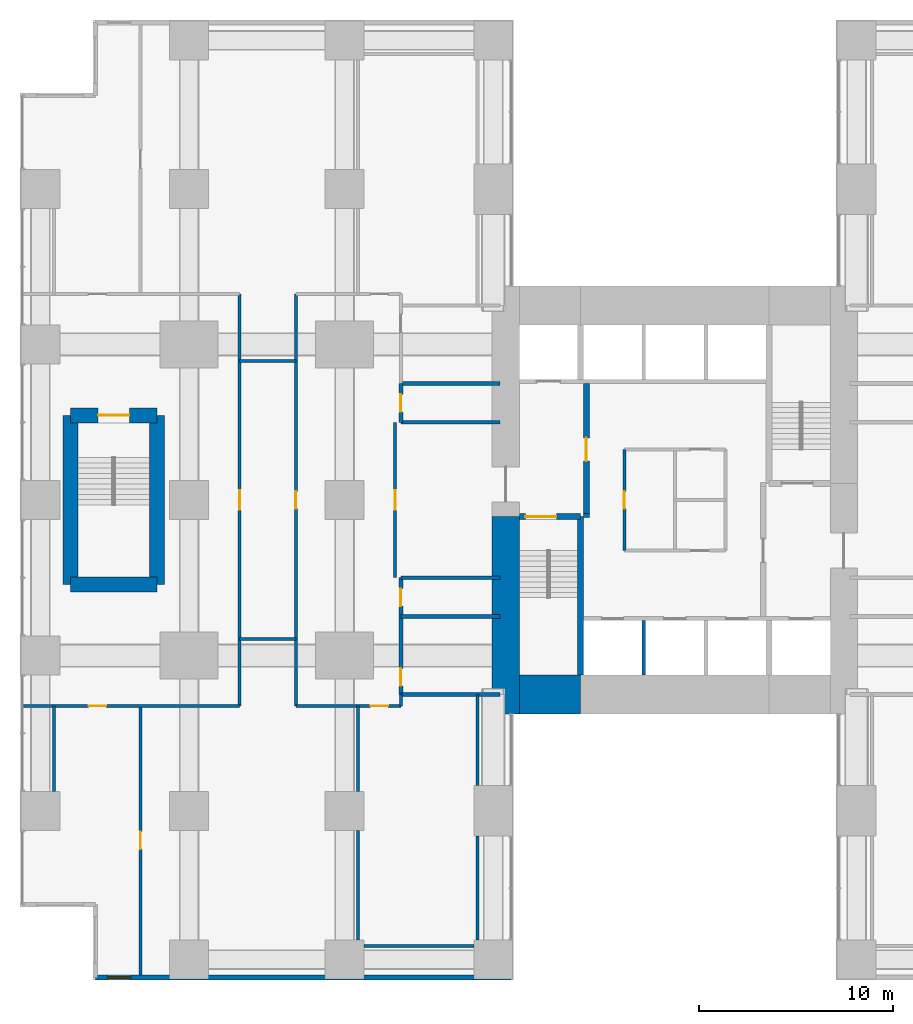
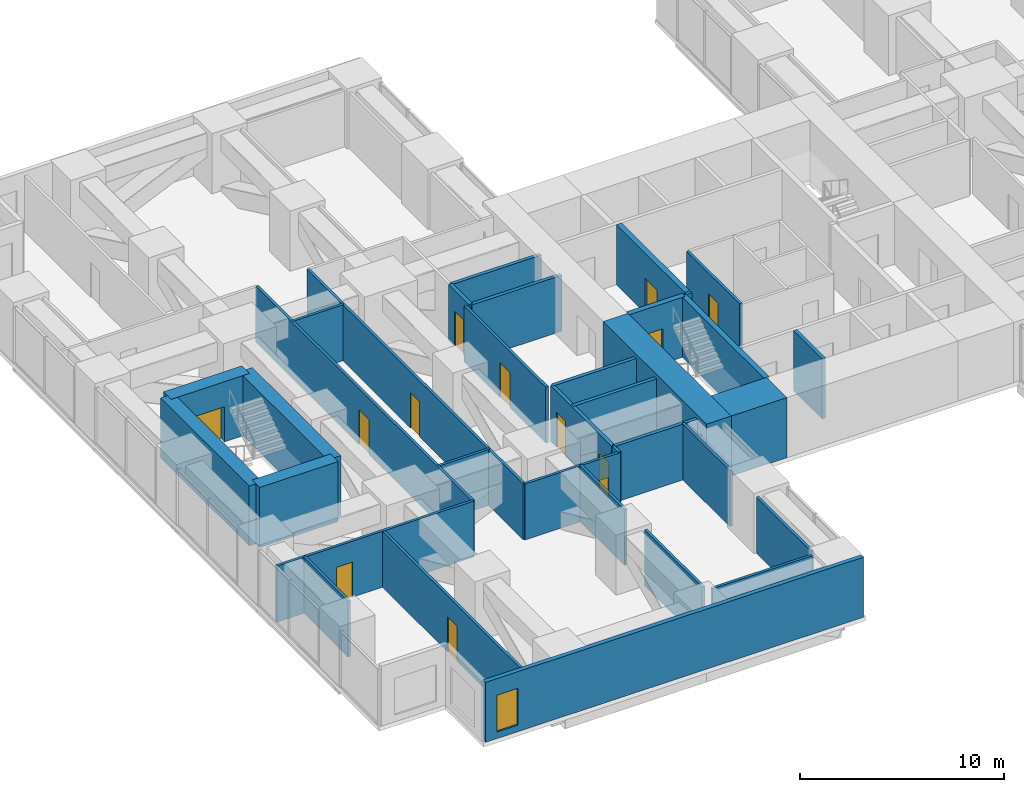
# One storey, part 10 of 15: 35 walls, 13 doors, 1 window, 14 openings.
"""IFC4 building model written with IfcOpenShell, lengths in metres."""

from ifc_helpers import new_model, si_unit, direction, frame, frame_2d, origin, place, context, subcontext, project, spatial, rectangle, extrude, material, layer, layer_set, type_object, element, fill, save


model = new_model("IFC4")

# Units and contexts
model_context = context("Model", 3, precision=1e-05, world=origin(), true_north=direction((0.0, 1.0)))
body_context = subcontext(model_context, "Body", "Model", "MODEL_VIEW")
ifc_project = project(units=[si_unit("LENGTHUNIT", "METRE"), si_unit("AREAUNIT", "SQUARE_METRE"), si_unit("VOLUMEUNIT", "CUBIC_METRE"), si_unit("PLANEANGLEUNIT", "RADIAN"), si_unit("MASSUNIT", "GRAM", prefix="KILO")], contexts=[model_context])

# Site, building, storey
site_placement = place(None, origin())
site = spatial("IfcSite", under=ifc_project, at=site_placement, CompositionType="ELEMENT")
building_placement = place(site_placement, origin())
building = spatial("IfcBuilding", under=site, at=building_placement, Name="Cleftline Residences", CompositionType="ELEMENT")
storey_placement = place(building_placement, frame((0.0, 0.0, 132.199951171875)))
storey = spatial("IfcBuildingStorey", under=building, at=storey_placement, Name="L34", CompositionType="ELEMENT", Elevation=132.199951171875)

# Walls
ifc_material_1 = material(Name="Concrete B70", Category="concrete")
ifc_layer_1 = layer(ifc_material_1, 1.39990234375)
ifc_layer_set_1 = layer_set([ifc_layer_1], Name="CORE WALL 1400")
wall_type_1 = type_object("IfcWallType", Name="CORE WALL 1400", PredefinedType="SHEAR", material=ifc_layer_set_1)
wall_1_placement = place(storey_placement, frame((24.300048828125, 13.0, 0.0), z_axis=(0.0, 0.0, 1.0), x_axis=(0.0, 1.0, 0.0)))
element("IfcWall", 1, at=wall_1_placement, inside=storey, type_object=wall_type_1, Name="Core wall W0", PredefinedType="SHEAR", context=body_context, shape_type="SweptSolid", body=[
    extrude(rectangle(XDim=10.14990234375, YDim=1.39990234375, at=frame_2d((5.074951171875, 0.0))), origin(), (0.0, 0.0, 1.0), 3.60009765625),
])
ifc_material_2 = material(Name="Concrete B70", Category="concrete")
ifc_layer_2 = layer(ifc_material_2, 2.0)
ifc_layer_set_2 = layer_set([ifc_layer_2], Name="CORE WALL 2000")
wall_type_2 = type_object("IfcWallType", Name="CORE WALL 2000", PredefinedType="SHEAR", material=ifc_layer_set_2)
wall_2_placement = place(storey_placement, frame((25.0, 14.0, 0.0), z_axis=(0.0, 0.0, 1.0), x_axis=(1.0, 0.0, 0.0)))
element("IfcWall", 2, at=wall_2_placement, inside=storey, type_object=wall_type_2, Name="Core wall S1", PredefinedType="SHEAR", context=body_context, shape_type="SweptSolid", body=[
    extrude(rectangle(XDim=3.14990234375, YDim=2.0, at=frame_2d((1.574951171875, 0.0))), origin(), (0.0, 0.0, 1.0), 3.60009765625),
])
ifc_material_3 = material(Name="Concrete B70", Category="concrete")
ifc_layer_3 = layer(ifc_material_3, 0.300048828125)
ifc_layer_set_3 = layer_set([ifc_layer_3], Name="CORE WALL 300")
wall_type_3 = type_object("IfcWallType", Name="CORE WALL 300", PredefinedType="SHEAR", material=ifc_layer_set_3)
wall_3_placement = place(storey_placement, frame((28.14990234375, 15.0, 0.0), z_axis=(0.0, 0.0, 1.0), x_axis=(0.0, 1.0, 0.0)))
element("IfcWall", 3, at=wall_3_placement, inside=storey, type_object=wall_type_3, Name="Core wall SA-E", PredefinedType="SHEAR", context=body_context, shape_type="SweptSolid", body=[
    extrude(rectangle(XDim=8.14990234375, YDim=0.300048828125, at=frame_2d((4.074951171875, 0.0))), origin(), (0.0, 0.0, 1.0), 3.60009765625),
])

# Wall, opening, door
wall_4_placement = place(storey_placement, frame((25.0, 23.14990234375, 0.0), z_axis=(0.0, 0.0, 1.0), x_axis=(1.0, 0.0, 0.0)))
wall_4 = element("IfcWall", 4, at=wall_4_placement, inside=storey, type_object=wall_type_3, Name="Core wall SA-N", PredefinedType="SHEAR", context=body_context, shape_type="SweptSolid", body=[
    extrude(rectangle(XDim=3.14990234375, YDim=0.300048828125, at=frame_2d((1.574951171875, 0.0))), origin(), (0.0, 0.0, 1.0), 3.60009765625),
])
opening_1_placement = place(wall_4_placement, frame((0.300048828125, 0.0, 0.0)))
opening_1 = element("IfcOpeningElement", 5, at=opening_1_placement, cuts=wall_4, Name="Opening D9", PredefinedType="OPENING", context=body_context, shape_type="SweptSolid", body=[
    extrude(rectangle(XDim=1.60009765625, YDim=2.10009765625, at=frame_2d((0.800048828125, 1.050048828125))), frame((0.0, 0.159912109375, 0.0), z_axis=(0.0, -1.0, 0.0), x_axis=(1.0, 0.0, 0.0)), (0.0, 0.0, 1.0), 0.320068359375),
])
ifc_material_4 = material(Name="Steel", Category="steel")
door_type_1 = type_object("IfcDoorType", Name="STAIR DOOR 1600X2100", OperationType="DOUBLE_DOOR_SINGLE_SWING", PredefinedType="DOOR", material=ifc_material_4)
door_1_placement = place(opening_1_placement, origin())
door_1 = element("IfcDoor", 6, at=door_1_placement, inside=storey, type_object=door_type_1, Name="Stair A door", OperationType="DOUBLE_DOOR_SINGLE_SWING", OverallHeight=2.10009765625, OverallWidth=1.60009765625, PredefinedType="DOOR", context=body_context, shape_type="SweptSolid", body=[
    extrude(rectangle(XDim=1.60009765625, YDim=2.10009765625, at=frame_2d((0.800048828125, 1.050048828125))), frame((0.0, 0.02490234375, 0.0), z_axis=(0.0, -1.0, 0.0), x_axis=(1.0, 0.0, 0.0)), (0.0, 0.0, 1.0), 0.050048828125),
])
fill(opening_1, door_1)

# Wall, opening, window
ifc_material_5 = material(Name="Rendered reinforced concrete blockwork", Category="masonry")
ifc_layer_4 = layer(ifc_material_5, 0.25)
ifc_layer_set_4 = layer_set([ifc_layer_4], Name="EXTERNAL WALL 250")
wall_type_4 = type_object("IfcWallType", Name="EXTERNAL WALL 250", PredefinedType="SOLIDWALL", material=ifc_layer_set_4)
wall_5_placement = place(storey_placement, frame((3.175048828125, -0.574951171875, 0.0), z_axis=(0.0, 0.0, 1.0), x_axis=(1.0, 0.0, 0.0)))
wall_5 = element("IfcWall", 7, at=wall_5_placement, inside=storey, type_object=wall_type_4, Name="External wall", PredefinedType="SOLIDWALL", context=body_context, shape_type="SweptSolid", body=[
    extrude(rectangle(XDim=21.39990234375, YDim=0.25, at=frame_2d((10.699951171875, 0.0))), origin(), (0.0, 0.0, 1.0), 3.60009765625),
])
opening_2_placement = place(wall_5_placement, frame((0.625, 0.0, 0.39990234375)))
opening_2 = element("IfcOpeningElement", 8, at=opening_2_placement, cuts=wall_5, Name="Opening W11", PredefinedType="OPENING", context=body_context, shape_type="SweptSolid", body=[
    extrude(rectangle(XDim=1.199951171875, YDim=2.199951171875, at=frame_2d((0.60009765625, 1.10009765625))), frame((0.0, 0.135009765625, 0.0), z_axis=(0.0, -1.0, 0.0), x_axis=(1.0, 0.0, 0.0)), (0.0, 0.0, 1.0), 0.27001953125),
])
ifc_material_6 = material(Name="Aluminium frame, clear double glazing", Category="aluminium")
window_type = type_object("IfcWindowType", Name="WINDOW 1200X2200", PartitioningType="DOUBLE_PANEL_VERTICAL", PredefinedType="WINDOW", material=ifc_material_6)
window_placement = place(opening_2_placement, origin())
window = element("IfcWindow", 9, at=window_placement, inside=storey, type_object=window_type, Name="Window", OverallHeight=2.199951171875, OverallWidth=1.199951171875, PartitioningType="SINGLE_PANEL", PredefinedType="WINDOW", context=body_context, shape_type="SweptSolid", body=[
    extrude(rectangle(XDim=1.199951171875, YDim=2.199951171875, at=frame_2d((0.60009765625, 1.10009765625))), frame((0.0, 0.030029296875, 0.0), z_axis=(0.0, -1.0, 0.0), x_axis=(1.0, 0.0, 0.0)), (0.0, 0.0, 1.0), 0.06005859375),
])
fill(opening_2, window)

# Walls
ifc_material_7 = material(Name="Concrete blockwork, fire rated", Category="masonry")
ifc_layer_5 = layer(ifc_material_7, 0.199951171875)
ifc_layer_set_5 = layer_set([ifc_layer_5], Name="FIRE WALL 200")
wall_type_5 = type_object("IfcWallType", Name="FIRE WALL 200", PredefinedType="PARTITIONING", material=ifc_layer_set_5)
for number, where, z_axis, x_axis, name in (
    (10, (18.89990234375, 14.0, 0.0), (0.0, 0.0, 1.0), (1.0, 0.0, 0.0), "Fire separating wall"),
    (11, (18.89990234375, 18.0, 0.0), (0.0, 0.0, 1.0), (1.0, 0.0, 0.0), "Fire separating wall"),
    (12, (18.89990234375, 20.0, 0.0), (0.0, 0.0, 1.0), (1.0, 0.0, 0.0), "Fire separating wall"),
    (13, (18.89990234375, 28.0, 0.0), (0.0, 0.0, 1.0), (1.0, 0.0, 0.0), "Fire separating wall"),
    (14, (18.89990234375, 30.0, 0.0), (0.0, 0.0, 1.0), (1.0, 0.0, 0.0), "Fire separating wall"),
):
    element("IfcWall", number, at=place(storey_placement, frame(where, z_axis=z_axis, x_axis=x_axis)), inside=storey, type_object=wall_type_5, Name=name, PredefinedType="PARTITIONING", context=body_context, shape_type="SweptSolid", body=[
        extrude(rectangle(XDim=5.10009765625, YDim=0.199951171875, at=frame_2d((2.550048828125, 0.0))), origin(), (0.0, 0.0, 1.0), 3.35009765625),
    ])

# Wall, openings, doors
wall_6_placement = place(storey_placement, frame((18.89990234375, 14.0, 0.0), z_axis=(0.0, 0.0, 1.0), x_axis=(0.0, 1.0, 0.0)))
wall_6 = element("IfcWall", 15, at=wall_6_placement, inside=storey, type_object=wall_type_5, Name="Fire separating wall", PredefinedType="PARTITIONING", context=body_context, shape_type="SweptSolid", body=[
    extrude(rectangle(XDim=6.0, YDim=0.199951171875, at=frame_2d((3.0, 0.0))), origin(), (0.0, 0.0, 1.0), 3.35009765625),
])
opening_3_placement = place(wall_6_placement, frame((0.43994140625, 0.0, 0.0)))
opening_3 = element("IfcOpeningElement", 16, at=opening_3_placement, cuts=wall_6, Name="Opening D1F30", PredefinedType="OPENING", context=body_context, shape_type="SweptSolid", body=[
    extrude(rectangle(XDim=0.89990234375, YDim=2.10009765625, at=frame_2d((0.449951171875, 1.050048828125))), frame((0.0, 0.10986328125, 0.0), z_axis=(0.0, -1.0, 0.0), x_axis=(1.0, 0.0, 0.0)), (0.0, 0.0, 1.0), 0.219970703125),
])
opening_4_placement = place(wall_6_placement, frame((4.5400390625, 0.0, 0.0)))
opening_4 = element("IfcOpeningElement", 17, at=opening_4_placement, cuts=wall_6, Name="Opening D1F30", PredefinedType="OPENING", context=body_context, shape_type="SweptSolid", body=[
    extrude(rectangle(XDim=0.89990234375, YDim=2.10009765625, at=frame_2d((0.449951171875, 1.050048828125))), frame((0.0, 0.10986328125, 0.0), z_axis=(0.0, -1.0, 0.0), x_axis=(1.0, 0.0, 0.0)), (0.0, 0.0, 1.0), 0.219970703125),
])
ifc_material_8 = material(Name="Timber veneer on solid core", Category="wood")
door_type_2 = type_object("IfcDoorType", Name="DOOR 900X2100 EI 30", OperationType="SINGLE_SWING_LEFT", PredefinedType="DOOR", material=ifc_material_8)
door_2_placement = place(opening_3_placement, origin())
door_2 = element("IfcDoor", 18, at=door_2_placement, inside=storey, type_object=door_type_2, Name="Door to male wc", OperationType="SINGLE_SWING_RIGHT", OverallHeight=2.10009765625, OverallWidth=0.89990234375, PredefinedType="DOOR", context=body_context, shape_type="SweptSolid", body=[
    extrude(rectangle(XDim=0.89990234375, YDim=2.10009765625, at=frame_2d((0.449951171875, 1.050048828125))), frame((0.0, 0.02490234375, 0.0), z_axis=(0.0, -1.0, 0.0), x_axis=(1.0, 0.0, 0.0)), (0.0, 0.0, 1.0), 0.050048828125),
])
fill(opening_3, door_2)
door_3_placement = place(opening_4_placement, origin())
door_3 = element("IfcDoor", 19, at=door_3_placement, inside=storey, type_object=door_type_2, Name="Door to female wc", OperationType="SINGLE_SWING_LEFT", OverallHeight=2.10009765625, OverallWidth=0.89990234375, PredefinedType="DOOR", context=body_context, shape_type="SweptSolid", body=[
    extrude(rectangle(XDim=0.89990234375, YDim=2.10009765625, at=frame_2d((0.449951171875, 1.050048828125))), frame((0.0, 0.02490234375, 0.0), z_axis=(0.0, -1.0, 0.0), x_axis=(1.0, 0.0, 0.0)), (0.0, 0.0, 1.0), 0.050048828125),
])
fill(opening_4, door_3)

# Wall, opening, door
wall_7_placement = place(storey_placement, frame((18.89990234375, 28.0, 0.0), z_axis=(0.0, 0.0, 1.0), x_axis=(0.0, 1.0, 0.0)))
wall_7 = element("IfcWall", 20, at=wall_7_placement, inside=storey, type_object=wall_type_5, Name="Fire separating wall", PredefinedType="PARTITIONING", context=body_context, shape_type="SweptSolid", body=[
    extrude(rectangle(XDim=2.0, YDim=0.199951171875, at=frame_2d((1.0, 0.0))), origin(), (0.0, 0.0, 1.0), 3.35009765625),
])
opening_5_placement = place(wall_7_placement, frame((0.5400390625, 0.0, 0.0)))
opening_5 = element("IfcOpeningElement", 21, at=opening_5_placement, cuts=wall_7, Name="Opening D1F30", PredefinedType="OPENING", context=body_context, shape_type="SweptSolid", body=[
    extrude(rectangle(XDim=0.89990234375, YDim=2.10009765625, at=frame_2d((0.449951171875, 1.050048828125))), frame((0.0, 0.10986328125, 0.0), z_axis=(0.0, -1.0, 0.0), x_axis=(1.0, 0.0, 0.0)), (0.0, 0.0, 1.0), 0.219970703125),
])
door_4_placement = place(opening_5_placement, origin())
door_4 = element("IfcDoor", 22, at=door_4_placement, inside=storey, type_object=door_type_2, Name="Door to accessible wc", OperationType="SINGLE_SWING_RIGHT", OverallHeight=2.10009765625, OverallWidth=0.89990234375, PredefinedType="DOOR", context=body_context, shape_type="SweptSolid", body=[
    extrude(rectangle(XDim=0.89990234375, YDim=2.10009765625, at=frame_2d((0.449951171875, 1.050048828125))), frame((0.0, 0.02490234375, 0.0), z_axis=(0.0, -1.0, 0.0), x_axis=(1.0, 0.0, 0.0)), (0.0, 0.0, 1.0), 0.050048828125),
])
fill(opening_5, door_4)

# Walls
wall_8_placement = place(storey_placement, frame((28.300048828125, 23.199951171875, 0.0), z_axis=(0.0, 0.0, 1.0), x_axis=(1.0, 0.0, 0.0)))
element("IfcWall", 23, at=wall_8_placement, inside=storey, type_object=wall_type_5, Name="Fire separating wall", PredefinedType="PARTITIONING", context=body_context, shape_type="SweptSolid", body=[
    extrude(rectangle(XDim=0.300048828125, YDim=0.199951171875, at=frame_2d((0.14990234375, 0.0))), origin(), (0.0, 0.0, 1.0), 3.60009765625),
])
ifc_material_9 = material(Name="Gypsum board on steel studs", Category="steel")
ifc_layer_6 = layer(ifc_material_9, 0.14990234375)
ifc_layer_set_6 = layer_set([ifc_layer_6], Name="PARTITION 150")
wall_type_6 = type_object("IfcWallType", Name="PARTITION 150", PredefinedType="PARTITIONING", material=ifc_layer_set_6)
wall_9_placement = place(storey_placement, frame((17.0, 1.050048828125, 0.0), z_axis=(0.0, 0.0, 1.0), x_axis=(1.0, 0.0, 0.0)))
element("IfcWall", 24, at=wall_9_placement, inside=storey, type_object=wall_type_6, Name="Partition", PredefinedType="PARTITIONING", context=body_context, shape_type="SweptSolid", body=[
    extrude(rectangle(XDim=5.64990234375, YDim=0.14990234375, at=frame_2d((2.824951171875, 0.0))), origin(), (0.0, 0.0, 1.0), 3.35009765625),
])

# Wall, opening, door
wall_10_placement = place(storey_placement, frame((-0.56103515625, 13.39990234375, 0.0), z_axis=(0.0, 0.0, 1.0), x_axis=(1.0, 0.0, 0.0)))
wall_10 = element("IfcWall", 25, at=wall_10_placement, inside=storey, type_object=wall_type_6, Name="Partition", PredefinedType="PARTITIONING", context=body_context, shape_type="SweptSolid", body=[
    extrude(rectangle(XDim=11.1611328125, YDim=0.14990234375, at=frame_2d((5.58056640625, 0.0))), origin(), (0.0, 0.0, 1.0), 3.35009765625),
])
opening_6_placement = place(wall_10_placement, frame((3.39111328125, 0.0, 0.0)))
opening_6 = element("IfcOpeningElement", 26, at=opening_6_placement, cuts=wall_10, Name="Opening D1", PredefinedType="OPENING", context=body_context, shape_type="SweptSolid", body=[
    extrude(rectangle(XDim=0.89990234375, YDim=2.10009765625, at=frame_2d((0.449951171875, 1.050048828125))), frame((0.0, 0.0849609375, 0.0), z_axis=(0.0, -1.0, 0.0), x_axis=(1.0, 0.0, 0.0)), (0.0, 0.0, 1.0), 0.169921875),
])
ifc_material_10 = material(Name="Timber veneer on solid core", Category="wood")
door_type_3 = type_object("IfcDoorType", Name="DOOR 900X2100", OperationType="SINGLE_SWING_LEFT", PredefinedType="DOOR", material=ifc_material_10)
door_5_placement = place(opening_6_placement, origin())
door_5 = element("IfcDoor", 27, at=door_5_placement, inside=storey, type_object=door_type_3, Name="Door to residents' library", OperationType="SINGLE_SWING_RIGHT", OverallHeight=2.10009765625, OverallWidth=0.89990234375, PredefinedType="DOOR", context=body_context, shape_type="SweptSolid", body=[
    extrude(rectangle(XDim=0.89990234375, YDim=2.10009765625, at=frame_2d((0.449951171875, 1.050048828125))), frame((0.0, 0.02490234375, 0.0), z_axis=(0.0, -1.0, 0.0), x_axis=(1.0, 0.0, 0.0)), (0.0, 0.0, 1.0), 0.050048828125),
])
fill(opening_6, door_5)

wall_11_placement = place(storey_placement, frame((13.5, 13.39990234375, 0.0), z_axis=(0.0, 0.0, 1.0), x_axis=(1.0, 0.0, 0.0)))
wall_11 = element("IfcWall", 28, at=wall_11_placement, inside=storey, type_object=wall_type_6, Name="Partition", PredefinedType="PARTITIONING", context=body_context, shape_type="SweptSolid", body=[
    extrude(rectangle(XDim=5.39990234375, YDim=0.14990234375, at=frame_2d((2.699951171875, 0.0))), origin(), (0.0, 0.0, 1.0), 3.35009765625),
])
opening_7_placement = place(wall_11_placement, frame((3.840087890625, 0.0, 0.0)))
opening_7 = element("IfcOpeningElement", 29, at=opening_7_placement, cuts=wall_11, Name="Opening D1", PredefinedType="OPENING", context=body_context, shape_type="SweptSolid", body=[
    extrude(rectangle(XDim=0.89990234375, YDim=2.10009765625, at=frame_2d((0.449951171875, 1.050048828125))), frame((0.0, 0.0849609375, 0.0), z_axis=(0.0, -1.0, 0.0), x_axis=(1.0, 0.0, 0.0)), (0.0, 0.0, 1.0), 0.169921875),
])
door_6_placement = place(opening_7_placement, origin())
door_6 = element("IfcDoor", 30, at=door_6_placement, inside=storey, type_object=door_type_3, Name="Door to games room", OperationType="SINGLE_SWING_LEFT", OverallHeight=2.10009765625, OverallWidth=0.89990234375, PredefinedType="DOOR", context=body_context, shape_type="SweptSolid", body=[
    extrude(rectangle(XDim=0.89990234375, YDim=2.10009765625, at=frame_2d((0.449951171875, 1.050048828125))), frame((0.0, 0.02490234375, 0.0), z_axis=(0.0, -1.0, 0.0), x_axis=(1.0, 0.0, 0.0)), (0.0, 0.0, 1.0), 0.050048828125),
])
fill(opening_7, door_6)

# Walls
for number, where, z_axis, x_axis, name in (
    (31, (10.60009765625, 16.85009765625, 0.0), (0.0, 0.0, 1.0), (1.0, 0.0, 0.0), "Partition"),
    (32, (10.60009765625, 31.14990234375, 0.0), (0.0, 0.0, 1.0), (1.0, 0.0, 0.0), "Partition"),
):
    element("IfcWall", number, at=place(storey_placement, frame(where, z_axis=z_axis, x_axis=x_axis)), inside=storey, type_object=wall_type_6, Name=name, PredefinedType="PARTITIONING", context=body_context, shape_type="SweptSolid", body=[
        extrude(rectangle(XDim=2.89990234375, YDim=0.14990234375, at=frame_2d((1.449951171875, 0.0))), origin(), (0.0, 0.0, 1.0), 3.35009765625),
    ])
wall_12_placement = place(storey_placement, frame((1.050048828125, 9.0, 0.0), z_axis=(0.0, 0.0, 1.0), x_axis=(0.0, 1.0, 0.0)))
element("IfcWall", 33, at=wall_12_placement, inside=storey, type_object=wall_type_6, Name="Partition", PredefinedType="PARTITIONING", context=body_context, shape_type="SweptSolid", body=[
    extrude(rectangle(XDim=4.39990234375, YDim=0.14990234375, at=frame_2d((2.199951171875, 0.0))), origin(), (0.0, 0.0, 1.0), 3.35009765625),
])

# Wall, opening, door
wall_13_placement = place(storey_placement, frame((5.5, -0.449951171875, 0.0), z_axis=(0.0, 0.0, 1.0), x_axis=(0.0, 1.0, 0.0)))
wall_13 = element("IfcWall", 34, at=wall_13_placement, inside=storey, type_object=wall_type_6, Name="Partition", PredefinedType="PARTITIONING", context=body_context, shape_type="SweptSolid", body=[
    extrude(rectangle(XDim=13.849853515625, YDim=0.14990234375, at=frame_2d((6.9248046875, 0.0))), origin(), (0.0, 0.0, 1.0), 3.35009765625),
])
opening_8_placement = place(wall_13_placement, frame((6.47998046875, 0.0, 0.0)))
opening_8 = element("IfcOpeningElement", 35, at=opening_8_placement, cuts=wall_13, Name="Opening D1", PredefinedType="OPENING", context=body_context, shape_type="SweptSolid", body=[
    extrude(rectangle(XDim=0.89990234375, YDim=2.10009765625, at=frame_2d((0.449951171875, 1.050048828125))), frame((0.0, 0.0849609375, 0.0), z_axis=(0.0, -1.0, 0.0), x_axis=(1.0, 0.0, 0.0)), (0.0, 0.0, 1.0), 0.169921875),
])
door_7_placement = place(opening_8_placement, origin())
door_7 = element("IfcDoor", 36, at=door_7_placement, inside=storey, type_object=door_type_3, Name="Door to club kitchen", OperationType="SINGLE_SWING_LEFT", OverallHeight=2.10009765625, OverallWidth=0.89990234375, PredefinedType="DOOR", context=body_context, shape_type="SweptSolid", body=[
    extrude(rectangle(XDim=0.89990234375, YDim=2.10009765625, at=frame_2d((0.449951171875, 1.050048828125))), frame((0.0, 0.02490234375, 0.0), z_axis=(0.0, -1.0, 0.0), x_axis=(1.0, 0.0, 0.0)), (0.0, 0.0, 1.0), 0.050048828125),
])
fill(opening_8, door_7)

wall_14_placement = place(storey_placement, frame((10.60009765625, 13.39990234375, 0.0), z_axis=(0.0, 0.0, 1.0), x_axis=(0.0, 1.0, 0.0)))
wall_14 = element("IfcWall", 37, at=wall_14_placement, inside=storey, type_object=wall_type_6, Name="Partition", PredefinedType="PARTITIONING", context=body_context, shape_type="SweptSolid", body=[
    extrude(rectangle(XDim=21.2001953125, YDim=0.14990234375, at=frame_2d((10.60009765625, 0.0))), origin(), (0.0, 0.0, 1.0), 3.35009765625),
])
opening_9_placement = place(wall_14_placement, frame((10.090087890625, 0.0, 0.0)))
opening_9 = element("IfcOpeningElement", 38, at=opening_9_placement, cuts=wall_14, Name="Opening D2F30", PredefinedType="OPENING", context=body_context, shape_type="SweptSolid", body=[
    extrude(rectangle(XDim=1.0, YDim=2.10009765625, at=frame_2d((0.5, 1.050048828125))), frame((0.0, 0.0849609375, 0.0), z_axis=(0.0, -1.0, 0.0), x_axis=(1.0, 0.0, 0.0)), (0.0, 0.0, 1.0), 0.169921875),
])
ifc_material_11 = material(Name="Timber veneer on solid core", Category="wood")
door_type_4 = type_object("IfcDoorType", Name="DOOR 1000X2100 EI 30", OperationType="SINGLE_SWING_LEFT", PredefinedType="DOOR", material=ifc_material_11)
door_8_placement = place(opening_9_placement, origin())
door_8 = element("IfcDoor", 39, at=door_8_placement, inside=storey, type_object=door_type_4, Name="Door to stair w lobby", OperationType="SINGLE_SWING_RIGHT", OverallHeight=2.10009765625, OverallWidth=1.0, PredefinedType="DOOR", context=body_context, shape_type="SweptSolid", body=[
    extrude(rectangle(XDim=1.0, YDim=2.10009765625, at=frame_2d((0.5, 1.050048828125))), frame((0.0, 0.02490234375, 0.0), z_axis=(0.0, -1.0, 0.0), x_axis=(1.0, 0.0, 0.0)), (0.0, 0.0, 1.0), 0.050048828125),
])
fill(opening_9, door_8)

wall_15_placement = place(storey_placement, frame((13.5, 13.39990234375, 0.0), z_axis=(0.0, 0.0, 1.0), x_axis=(0.0, 1.0, 0.0)))
wall_15 = element("IfcWall", 40, at=wall_15_placement, inside=storey, type_object=wall_type_6, Name="Partition", PredefinedType="PARTITIONING", context=body_context, shape_type="SweptSolid", body=[
    extrude(rectangle(XDim=21.2001953125, YDim=0.14990234375, at=frame_2d((10.60009765625, 0.0))), origin(), (0.0, 0.0, 1.0), 3.35009765625),
])
opening_10_placement = place(wall_15_placement, frame((10.14990234375, 0.0, 0.0)))
opening_10 = element("IfcOpeningElement", 41, at=opening_10_placement, cuts=wall_15, Name="Opening D1", PredefinedType="OPENING", context=body_context, shape_type="SweptSolid", body=[
    extrude(rectangle(XDim=0.89990234375, YDim=2.10009765625, at=frame_2d((0.449951171875, 1.050048828125))), frame((0.0, 0.0849609375, 0.0), z_axis=(0.0, -1.0, 0.0), x_axis=(1.0, 0.0, 0.0)), (0.0, 0.0, 1.0), 0.169921875),
])
door_9_placement = place(opening_10_placement, origin())
door_9 = element("IfcDoor", 42, at=door_9_placement, inside=storey, type_object=door_type_3, Name="Door to sky library lounge", OperationType="SINGLE_SWING_LEFT", OverallHeight=2.10009765625, OverallWidth=0.89990234375, PredefinedType="DOOR", context=body_context, shape_type="SweptSolid", body=[
    extrude(rectangle(XDim=0.89990234375, YDim=2.10009765625, at=frame_2d((0.449951171875, 1.050048828125))), frame((0.0, 0.02490234375, 0.0), z_axis=(0.0, -1.0, 0.0), x_axis=(1.0, 0.0, 0.0)), (0.0, 0.0, 1.0), 0.050048828125),
])
fill(opening_10, door_9)

# Walls
wall_16_placement = place(storey_placement, frame((16.699951171875, 1.35009765625, 0.0), z_axis=(0.0, 0.0, 1.0), x_axis=(0.0, 1.0, 0.0)))
element("IfcWall", 43, at=wall_16_placement, inside=storey, type_object=wall_type_6, Name="Partition", PredefinedType="PARTITIONING", context=body_context, shape_type="SweptSolid", body=[
    extrude(rectangle(XDim=5.64990234375, YDim=0.14990234375, at=frame_2d((2.824951171875, 0.0))), origin(), (0.0, 0.0, 1.0), 3.35009765625),
])
wall_17_placement = place(storey_placement, frame((16.699951171875, 9.0, 0.0), z_axis=(0.0, 0.0, 1.0), x_axis=(0.0, 1.0, 0.0)))
element("IfcWall", 44, at=wall_17_placement, inside=storey, type_object=wall_type_6, Name="Partition", PredefinedType="PARTITIONING", context=body_context, shape_type="SweptSolid", body=[
    extrude(rectangle(XDim=4.39990234375, YDim=0.14990234375, at=frame_2d((2.199951171875, 0.0))), origin(), (0.0, 0.0, 1.0), 3.35009765625),
])

# Wall, opening, door
wall_18_placement = place(storey_placement, frame((18.60009765625, 20.0, 0.0), z_axis=(0.0, 0.0, 1.0), x_axis=(0.0, 1.0, 0.0)))
wall_18 = element("IfcWall", 45, at=wall_18_placement, inside=storey, type_object=wall_type_6, Name="Partition", PredefinedType="PARTITIONING", context=body_context, shape_type="SweptSolid", body=[
    extrude(rectangle(XDim=8.0, YDim=0.14990234375, at=frame_2d((4.0, 0.0))), origin(), (0.0, 0.0, 1.0), 3.35009765625),
])
opening_11_placement = place(wall_18_placement, frame((3.5, 0.0, 0.0)))
opening_11 = element("IfcOpeningElement", 46, at=opening_11_placement, cuts=wall_18, Name="Opening D2F30", PredefinedType="OPENING", context=body_context, shape_type="SweptSolid", body=[
    extrude(rectangle(XDim=1.0, YDim=2.10009765625, at=frame_2d((0.5, 1.050048828125))), frame((0.0, 0.0849609375, 0.0), z_axis=(0.0, -1.0, 0.0), x_axis=(1.0, 0.0, 0.0)), (0.0, 0.0, 1.0), 0.169921875),
])
door_10_placement = place(opening_11_placement, origin())
door_10 = element("IfcDoor", 47, at=door_10_placement, inside=storey, type_object=door_type_4, Name="Door to corridor", OperationType="SINGLE_SWING_LEFT", OverallHeight=2.10009765625, OverallWidth=1.0, PredefinedType="DOOR", context=body_context, shape_type="SweptSolid", body=[
    extrude(rectangle(XDim=1.0, YDim=2.10009765625, at=frame_2d((0.5, 1.050048828125))), frame((0.0, 0.02490234375, 0.0), z_axis=(0.0, -1.0, 0.0), x_axis=(1.0, 0.0, 0.0)), (0.0, 0.0, 1.0), 0.050048828125),
])
fill(opening_11, door_10)

# Walls
wall_19_placement = place(storey_placement, frame((18.89990234375, 13.39990234375, 0.0), z_axis=(0.0, 0.0, 1.0), x_axis=(0.0, 1.0, 0.0)))
element("IfcWall", 48, at=wall_19_placement, inside=storey, type_object=wall_type_6, Name="Partition", PredefinedType="PARTITIONING", context=body_context, shape_type="SweptSolid", body=[
    extrude(rectangle(XDim=0.60009765625, YDim=0.14990234375, at=frame_2d((0.300048828125, 0.0))), origin(), (0.0, 0.0, 1.0), 3.35009765625),
])
wall_20_placement = place(storey_placement, frame((22.85009765625, 1.35009765625, 0.0), z_axis=(0.0, 0.0, 1.0), x_axis=(0.0, 1.0, 0.0)))
element("IfcWall", 49, at=wall_20_placement, inside=storey, type_object=wall_type_6, Name="Partition", PredefinedType="PARTITIONING", context=body_context, shape_type="SweptSolid", body=[
    extrude(rectangle(XDim=5.349853515625, YDim=0.14990234375, at=frame_2d((2.6748046875, 0.0))), origin(), (0.0, 0.0, 1.0), 3.35009765625),
])
wall_21_placement = place(storey_placement, frame((22.85009765625, 9.300048828125, 0.0), z_axis=(0.0, 0.0, 1.0), x_axis=(0.0, 1.0, 0.0)))
element("IfcWall", 50, at=wall_21_placement, inside=storey, type_object=wall_type_6, Name="Partition", PredefinedType="PARTITIONING", context=body_context, shape_type="SweptSolid", body=[
    extrude(rectangle(XDim=4.699951171875, YDim=0.14990234375, at=frame_2d((2.35009765625, 0.0))), origin(), (0.0, 0.0, 1.0), 3.35009765625),
])

# Wall, opening, door
ifc_material_12 = material(Name="Fire-resisting gypsum board on steel studs", Category="steel")
ifc_layer_7 = layer(ifc_material_12, 0.14990234375)
ifc_layer_set_7 = layer_set([ifc_layer_7], Name="PARTITION 150 EI 60")
wall_type_7 = type_object("IfcWallType", Name="PARTITION 150 EI 60", PredefinedType="PARTITIONING", material=ifc_layer_set_7)
wall_22_placement = place(storey_placement, frame((30.39990234375, 21.39990234375, 0.0), z_axis=(0.0, 0.0, 1.0), x_axis=(0.0, 1.0, 0.0)))
wall_22 = element("IfcWall", 51, at=wall_22_placement, inside=storey, type_object=wall_type_7, Name="Core room partition", PredefinedType="PARTITIONING", context=body_context, shape_type="SweptSolid", body=[
    extrude(rectangle(XDim=5.2001953125, YDim=0.14990234375, at=frame_2d((2.60009765625, 0.0))), origin(), (0.0, 0.0, 1.0), 3.35009765625),
])
opening_12_placement = place(wall_22_placement, frame((2.14990234375, 0.0, 0.0)))
opening_12 = element("IfcOpeningElement", 52, at=opening_12_placement, cuts=wall_22, Name="Opening D1F30", PredefinedType="OPENING", context=body_context, shape_type="SweptSolid", body=[
    extrude(rectangle(XDim=0.89990234375, YDim=2.10009765625, at=frame_2d((0.449951171875, 1.050048828125))), frame((0.0, 0.0849609375, 0.0), z_axis=(0.0, -1.0, 0.0), x_axis=(1.0, 0.0, 0.0)), (0.0, 0.0, 1.0), 0.169921875),
])
door_11_placement = place(opening_12_placement, origin())
door_11 = element("IfcDoor", 53, at=door_11_placement, inside=storey, type_object=door_type_2, Name="Door to linen store", OperationType="SINGLE_SWING_LEFT", OverallHeight=2.10009765625, OverallWidth=0.89990234375, PredefinedType="DOOR", context=body_context, shape_type="SweptSolid", body=[
    extrude(rectangle(XDim=0.89990234375, YDim=2.10009765625, at=frame_2d((0.449951171875, 1.050048828125))), frame((0.0, 0.02490234375, 0.0), z_axis=(0.0, -1.0, 0.0), x_axis=(1.0, 0.0, 0.0)), (0.0, 0.0, 1.0), 0.050048828125),
])
fill(opening_12, door_11)

# Walls
ifc_material_13 = material(Name="Concrete blockwork, fire rated", Category="masonry")
ifc_layer_8 = layer(ifc_material_13, 0.199951171875)
ifc_layer_set_8 = layer_set([ifc_layer_8], Name="SHAFT WALL 200")
wall_type_8 = type_object("IfcWallType", Name="SHAFT WALL 200", PredefinedType="PARTITIONING", material=ifc_layer_set_8)
wall_23_placement = place(storey_placement, frame((31.39990234375, 15.0, 0.0), z_axis=(0.0, 0.0, 1.0), x_axis=(0.0, 1.0, 0.0)))
element("IfcWall", 54, at=wall_23_placement, inside=storey, type_object=wall_type_8, Name="Lift shaft wall", PredefinedType="PARTITIONING", context=body_context, shape_type="SweptSolid", body=[
    extrude(rectangle(XDim=2.800048828125, YDim=0.199951171875, at=frame_2d((1.39990234375, 0.0))), origin(), (0.0, 0.0, 1.0), 3.60009765625),
])
ifc_material_14 = material(Name="Concrete B70", Category="concrete")
ifc_layer_9 = layer(ifc_material_14, 0.75)
ifc_layer_set_9 = layer_set([ifc_layer_9], Name="SHEAR WALL 750")
wall_type_9 = type_object("IfcWallType", Name="SHEAR WALL 750", PredefinedType="SHEAR", material=ifc_layer_set_9)
wall_24_placement = place(storey_placement, frame((1.89990234375, 19.64990234375, 0.0), z_axis=(0.0, 0.0, 1.0), x_axis=(1.0, 0.0, 0.0)))
element("IfcWall", 55, at=wall_24_placement, inside=storey, type_object=wall_type_9, Name="Wing shear wall", PredefinedType="SHEAR", context=body_context, shape_type="SweptSolid", body=[
    extrude(rectangle(XDim=4.4501953125, YDim=0.75, at=frame_2d((2.22509765625, 0.0))), origin(), (0.0, 0.0, 1.0), 3.60009765625),
])
wall_25_placement = place(storey_placement, frame((6.35009765625, 19.64990234375, 0.0), z_axis=(0.0, 0.0, 1.0), x_axis=(0.0, 1.0, 0.0)))
element("IfcWall", 56, at=wall_25_placement, inside=storey, type_object=wall_type_9, Name="Wing shear wall", PredefinedType="SHEAR", context=body_context, shape_type="SweptSolid", body=[
    extrude(rectangle(XDim=8.7001953125, YDim=0.75, at=frame_2d((4.35009765625, 0.0))), origin(), (0.0, 0.0, 1.0), 3.60009765625),
])

# Wall, opening, door
wall_26_placement = place(storey_placement, frame((6.35009765625, 28.35009765625, 0.0), z_axis=(0.0, 0.0, 1.0), x_axis=(-1.0, 0.0, 0.0)))
wall_26 = element("IfcWall", 57, at=wall_26_placement, inside=storey, type_object=wall_type_9, Name="Wing shear wall", PredefinedType="SHEAR", context=body_context, shape_type="SweptSolid", body=[
    extrude(rectangle(XDim=4.4501953125, YDim=0.75, at=frame_2d((2.22509765625, 0.0))), origin(), (0.0, 0.0, 1.0), 3.60009765625),
])
opening_13_placement = place(wall_26_placement, frame((1.425048828125, 0.0, 0.0)))
opening_13 = element("IfcOpeningElement", 58, at=opening_13_placement, cuts=wall_26, Name="Opening D9", PredefinedType="OPENING", context=body_context, shape_type="SweptSolid", body=[
    extrude(rectangle(XDim=1.60009765625, YDim=2.10009765625, at=frame_2d((0.800048828125, 1.050048828125))), frame((0.0, 0.385009765625, 0.0), z_axis=(0.0, -1.0, 0.0), x_axis=(1.0, 0.0, 0.0)), (0.0, 0.0, 1.0), 0.77001953125),
])
door_12_placement = place(opening_13_placement, origin())
door_12 = element("IfcDoor", 59, at=door_12_placement, inside=storey, type_object=door_type_1, Name="Stair W door", OperationType="DOUBLE_DOOR_SINGLE_SWING", OverallHeight=2.10009765625, OverallWidth=1.60009765625, PredefinedType="DOOR", context=body_context, shape_type="SweptSolid", body=[
    extrude(rectangle(XDim=1.60009765625, YDim=2.10009765625, at=frame_2d((0.800048828125, 1.050048828125))), frame((0.0, 0.02490234375, 0.0), z_axis=(0.0, -1.0, 0.0), x_axis=(1.0, 0.0, 0.0)), (0.0, 0.0, 1.0), 0.050048828125),
])
fill(opening_13, door_12)

# Wall
wall_27_placement = place(storey_placement, frame((1.89990234375, 28.35009765625, 0.0), z_axis=(0.0, 0.0, 1.0), x_axis=(0.0, -1.0, 0.0)))
element("IfcWall", 60, at=wall_27_placement, inside=storey, type_object=wall_type_9, Name="Wing shear wall", PredefinedType="SHEAR", context=body_context, shape_type="SweptSolid", body=[
    extrude(rectangle(XDim=8.7001953125, YDim=0.75, at=frame_2d((4.35009765625, 0.0))), origin(), (0.0, 0.0, 1.0), 3.60009765625),
])

# Wall, opening, door
ifc_material_15 = material(Name="Concrete blockwork, fire rated", Category="masonry")
ifc_layer_10 = layer(ifc_material_15, 0.300048828125)
ifc_layer_set_10 = layer_set([ifc_layer_10], Name="STAIR LOBBY WALL 300")
wall_type_10 = type_object("IfcWallType", Name="STAIR LOBBY WALL 300", PredefinedType="PARTITIONING", material=ifc_layer_set_10)
wall_28_placement = place(storey_placement, frame((28.449951171875, 23.300048828125, 0.0), z_axis=(0.0, 0.0, 1.0), x_axis=(0.0, 1.0, 0.0)))
wall_28 = element("IfcWall", 61, at=wall_28_placement, inside=storey, type_object=wall_type_10, Name="Stair and lobby wall FA-E", PredefinedType="PARTITIONING", context=body_context, shape_type="SweptSolid", body=[
    extrude(rectangle(XDim=6.699951171875, YDim=0.300048828125, at=frame_2d((3.35009765625, 0.0))), origin(), (0.0, 0.0, 1.0), 3.60009765625),
])
opening_14_placement = place(wall_28_placement, frame((2.699951171875, 0.0, 0.0)))
opening_14 = element("IfcOpeningElement", 62, at=opening_14_placement, cuts=wall_28, Name="Opening D6", PredefinedType="OPENING", context=body_context, shape_type="SweptSolid", body=[
    extrude(rectangle(XDim=1.199951171875, YDim=2.10009765625, at=frame_2d((0.60009765625, 1.050048828125))), frame((0.0, 0.159912109375, 0.0), z_axis=(0.0, -1.0, 0.0), x_axis=(1.0, 0.0, 0.0)), (0.0, 0.0, 1.0), 0.320068359375),
])
ifc_material_16 = material(Name="Steel", Category="steel")
door_type_5 = type_object("IfcDoorType", Name="LOBBY DOOR 1200X2100", OperationType="SINGLE_SWING_RIGHT", PredefinedType="DOOR", material=ifc_material_16)
door_13_placement = place(opening_14_placement, origin())
door_13 = element("IfcDoor", 63, at=door_13_placement, inside=storey, type_object=door_type_5, Name="Firefighting lobby A door", OperationType="SINGLE_SWING_RIGHT", OverallHeight=2.10009765625, OverallWidth=1.199951171875, PredefinedType="DOOR", context=body_context, shape_type="SweptSolid", body=[
    extrude(rectangle(XDim=1.199951171875, YDim=2.10009765625, at=frame_2d((0.60009765625, 1.050048828125))), frame((0.0, 0.02490234375, 0.0), z_axis=(0.0, -1.0, 0.0), x_axis=(1.0, 0.0, 0.0)), (0.0, 0.0, 1.0), 0.050048828125),
])
fill(opening_14, door_13)

save(model, "model.ifc")
